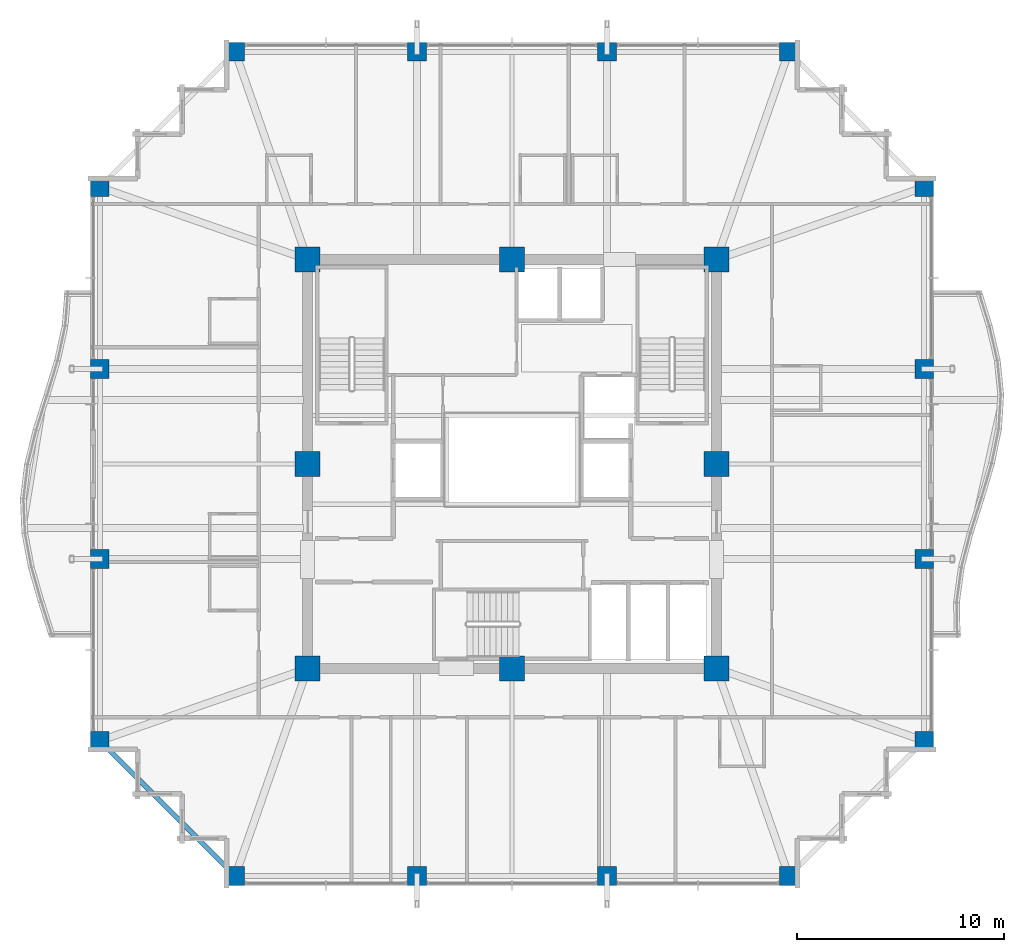
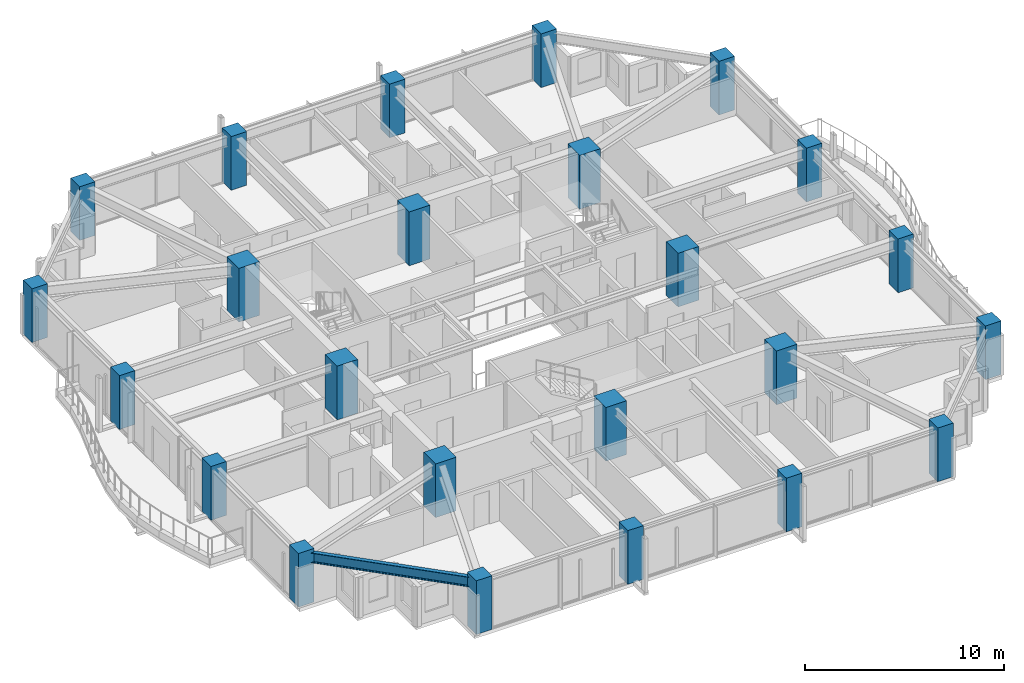
# One storey, part 1 of 35: 24 columns, 1 beam.
"""IFC4 building model written with IfcOpenShell, lengths in metres."""

from ifc_helpers import new_model, si_unit, direction, frame, origin, origin_2d, place, context, subcontext, project, spatial, rectangle, i_section, extrude, material, material_profile, profile_set, type_object, element, save


model = new_model("IFC4")

# Units and contexts
model_context = context("Model", 3, precision=1e-05, world=origin(), true_north=direction((0.0, 1.0)))
body_context = subcontext(model_context, "Body", "Model", "MODEL_VIEW")
ifc_project = project(units=[si_unit("LENGTHUNIT", "METRE"), si_unit("AREAUNIT", "SQUARE_METRE"), si_unit("VOLUMEUNIT", "CUBIC_METRE"), si_unit("PLANEANGLEUNIT", "RADIAN"), si_unit("MASSUNIT", "GRAM", prefix="KILO")], contexts=[model_context])

# Site, building, storey
site_placement = place(None, origin())
site = spatial("IfcSite", under=ifc_project, at=site_placement, CompositionType="ELEMENT")
building_placement = place(site_placement, origin())
building = spatial("IfcBuilding", under=site, at=building_placement, Name="Kolvaren Belvedere", CompositionType="ELEMENT")
storey_placement = place(building_placement, frame((0.0, 0.0, 176.699951171875)))
storey = spatial("IfcBuildingStorey", under=building, at=storey_placement, Name="L51", CompositionType="ELEMENT", Elevation=176.699951171875)

# Columns
ifc_material_1 = material(Name="Concrete C60/75", Category="concrete")
ifc_material_profile_1 = material_profile(ifc_material_1, rectangle(XDim=1.199951171875, YDim=1.199951171875, at=origin_2d()), Name="RC 1200X1200")
ifc_profile_set_1 = profile_set([ifc_material_profile_1], Name="Concrete C60/75")
column_type_1 = type_object("IfcColumnType", Name="COL-RC-1200", PredefinedType="COLUMN", material=ifc_profile_set_1)
for number, where, z_axis, x_axis, name in (
    (1, (-9.89990234375, -9.89990234375, 0.0), (0.0, 0.0, 1.0), (1.0, 0.0, 0.0), "L51 Core Column CC1"),
    (2, (9.89990234375, -9.89990234375, 0.0), (0.0, 0.0, 1.0), (1.0, 0.0, 0.0), "L51 Core Column CC2"),
    (3, (9.89990234375, 9.89990234375, 0.0), (0.0, 0.0, 1.0), (1.0, 0.0, 0.0), "L51 Core Column CC3"),
    (4, (-9.89990234375, 9.89990234375, 0.0), (0.0, 0.0, 1.0), (1.0, 0.0, 0.0), "L51 Core Column CC4"),
    (5, (0.0, -9.89990234375, 0.0), (0.0, 0.0, 1.0), (1.0, 0.0, 0.0), "L51 Core Column CM1"),
    (6, (9.89990234375, 0.0, 0.0), (0.0, 0.0, 1.0), (1.0, 0.0, 0.0), "L51 Core Column CM2"),
    (7, (0.0, 9.89990234375, 0.0), (0.0, 0.0, 1.0), (1.0, 0.0, 0.0), "L51 Core Column CM3"),
    (8, (-9.89990234375, 0.0, 0.0), (0.0, 0.0, 1.0), (1.0, 0.0, 0.0), "L51 Core Column CM4"),
):
    element("IfcColumn", number, at=place(storey_placement, frame(where, z_axis=z_axis, x_axis=x_axis)), inside=storey, type_object=column_type_1, Name=name, PredefinedType="COLUMN", context=body_context, shape_type="SweptSolid", body=[
        extrude(rectangle(XDim=1.199951171875, YDim=1.199951171875, at=origin_2d()), origin(), (0.0, 0.0, 1.0), 3.300048828125),
    ])
ifc_material_2 = material(Name="Concrete C50/60", Category="concrete")
ifc_material_profile_2 = material_profile(ifc_material_2, rectangle(XDim=0.89990234375, YDim=0.89990234375, at=origin_2d()), Name="RC 900X900")
ifc_profile_set_2 = profile_set([ifc_material_profile_2], Name="Concrete C50/60")
column_type_2 = type_object("IfcColumnType", Name="COL-RC-900", PredefinedType="COLUMN", material=ifc_profile_set_2)
for number, where, z_axis, x_axis, name in (
    (9, (-13.39990234375, -19.949951171875, 0.0), (0.0, 0.0, 1.0), (1.0, 0.0, 0.0), "L51 Perimeter Column S1"),
    (10, (-4.60009765625, -19.949951171875, 0.0), (0.0, 0.0, 1.0), (1.0, 0.0, 0.0), "L51 Perimeter Column S2"),
    (11, (4.60009765625, -19.949951171875, 0.0), (0.0, 0.0, 1.0), (1.0, 0.0, 0.0), "L51 Perimeter Column S3"),
    (12, (13.39990234375, -19.949951171875, 0.0), (0.0, 0.0, 1.0), (1.0, 0.0, 0.0), "L51 Perimeter Column S4"),
    (13, (-13.39990234375, 19.949951171875, 0.0), (0.0, 0.0, 1.0), (1.0, 0.0, 0.0), "L51 Perimeter Column N1"),
    (14, (-4.60009765625, 19.949951171875, 0.0), (0.0, 0.0, 1.0), (1.0, 0.0, 0.0), "L51 Perimeter Column N2"),
    (15, (4.60009765625, 19.949951171875, 0.0), (0.0, 0.0, 1.0), (1.0, 0.0, 0.0), "L51 Perimeter Column N3"),
    (16, (13.39990234375, 19.949951171875, 0.0), (0.0, 0.0, 1.0), (1.0, 0.0, 0.0), "L51 Perimeter Column N4"),
    (17, (-19.949951171875, -13.39990234375, 0.0), (0.0, 0.0, 1.0), (1.0, 0.0, 0.0), "L51 Perimeter Column W1"),
    (18, (-19.949951171875, -4.60009765625, 0.0), (0.0, 0.0, 1.0), (1.0, 0.0, 0.0), "L51 Perimeter Column W2"),
    (19, (-19.949951171875, 4.60009765625, 0.0), (0.0, 0.0, 1.0), (1.0, 0.0, 0.0), "L51 Perimeter Column W3"),
    (20, (-19.949951171875, 13.39990234375, 0.0), (0.0, 0.0, 1.0), (1.0, 0.0, 0.0), "L51 Perimeter Column W4"),
    (21, (19.949951171875, -13.39990234375, 0.0), (0.0, 0.0, 1.0), (1.0, 0.0, 0.0), "L51 Perimeter Column E1"),
    (22, (19.949951171875, -4.60009765625, 0.0), (0.0, 0.0, 1.0), (1.0, 0.0, 0.0), "L51 Perimeter Column E2"),
    (23, (19.949951171875, 4.60009765625, 0.0), (0.0, 0.0, 1.0), (1.0, 0.0, 0.0), "L51 Perimeter Column E3"),
    (24, (19.949951171875, 13.39990234375, 0.0), (0.0, 0.0, 1.0), (1.0, 0.0, 0.0), "L51 Perimeter Column E4"),
):
    element("IfcColumn", number, at=place(storey_placement, frame(where, z_axis=z_axis, x_axis=x_axis)), inside=storey, type_object=column_type_2, Name=name, PredefinedType="COLUMN", context=body_context, shape_type="SweptSolid", body=[
        extrude(rectangle(XDim=0.89990234375, YDim=0.89990234375, at=origin_2d()), origin(), (0.0, 0.0, 1.0), 3.300048828125),
    ])

# Beam
ifc_material_3 = material(Name="Structural steel ASTM A992 Grade 50", Category="steel")
ifc_material_profile_3 = material_profile(ifc_material_3, i_section(OverallWidth=0.22900390625, OverallDepth=0.612060546875, WebThickness=0.011962890625, FlangeThickness=0.01953125, FilletRadius=0.01806640625, at=origin_2d()), Name="W24X84")
ifc_profile_set_3 = profile_set([ifc_material_profile_3], Name="Structural steel ASTM A992 Grade 50")
beam_type = type_object("IfcBeamType", Name="BM-SPAN-W24X84", PredefinedType="SPANDREL", material=ifc_profile_set_3)
beam_placement = place(storey_placement, frame((-19.806884765625, -13.543212890625, 2.774169921875), z_axis=(0.707106781187, -0.707106781187, 0.0), x_axis=(0.707106781187, 0.707106781187, 0.0)))
element("IfcBeam", 25, at=beam_placement, inside=storey, type_object=beam_type, Name="L51 Perimeter Spandrel W1-S1", PredefinedType="SPANDREL", context=body_context, shape_type="SweptSolid", body=[
    extrude(i_section(OverallWidth=0.22900390625, OverallDepth=0.612060546875, WebThickness=0.011962890625, FlangeThickness=0.01953125, FilletRadius=0.01806640625, at=origin_2d()), origin(), (0.0, 0.0, 1.0), 8.858154296875),
])

save(model, "model.ifc")
